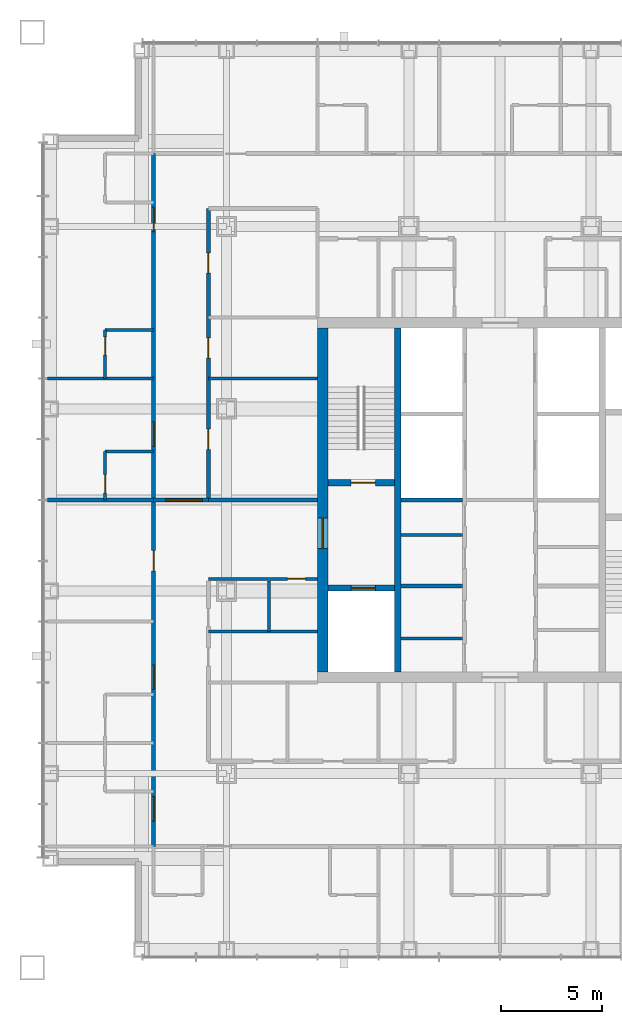
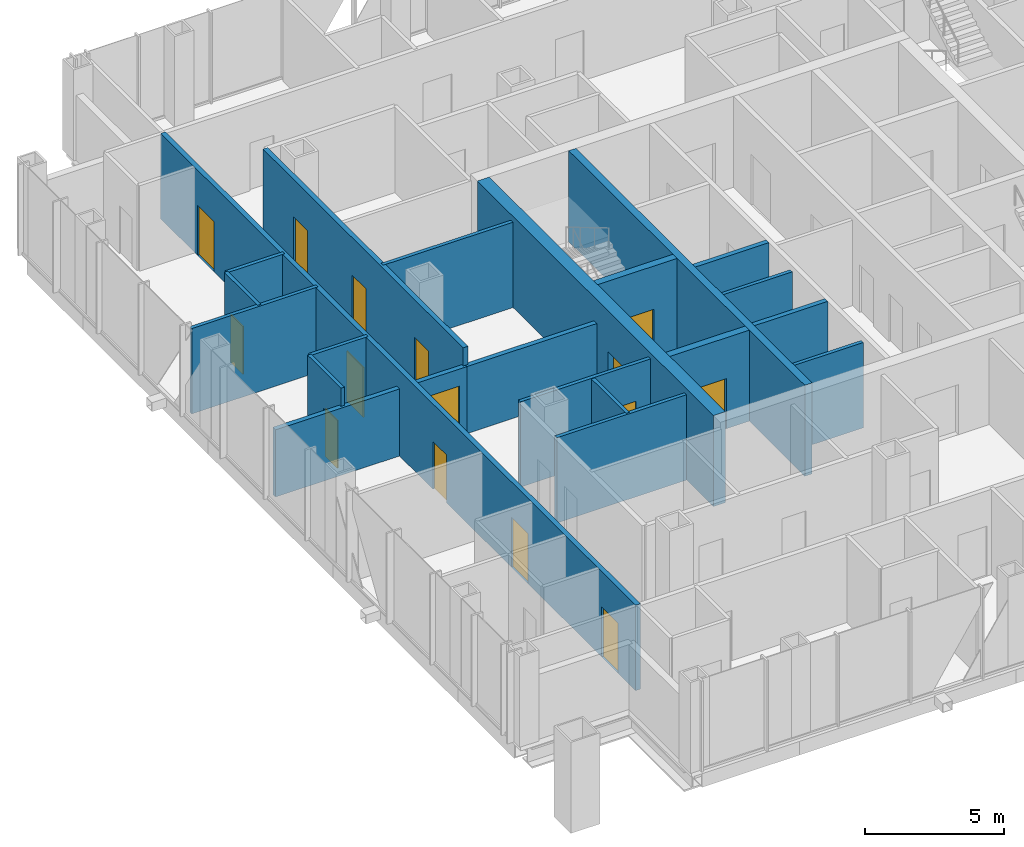
# One storey, part 13 of 20: 22 walls, 15 doors, 15 openings.
"""IFC4 building model written with IfcOpenShell, lengths in metres."""

from ifc_helpers import new_model, si_unit, direction, frame, frame_2d, origin, place, context, subcontext, project, spatial, rectangle, extrude, material, layer, layer_set, type_object, element, fill, save


model = new_model("IFC4")

# Units and contexts
model_context = context("Model", 3, precision=1e-05, world=origin(), true_north=direction((0.0, 1.0)))
body_context = subcontext(model_context, "Body", "Model", "MODEL_VIEW")
ifc_project = project(units=[si_unit("LENGTHUNIT", "METRE"), si_unit("AREAUNIT", "SQUARE_METRE"), si_unit("VOLUMEUNIT", "CUBIC_METRE"), si_unit("PLANEANGLEUNIT", "RADIAN"), si_unit("MASSUNIT", "GRAM", prefix="KILO")], contexts=[model_context])

# Site, building, storey
site_placement = place(None, origin())
site = spatial("IfcSite", under=ifc_project, at=site_placement, CompositionType="ELEMENT")
building_placement = place(site_placement, origin())
building = spatial("IfcBuilding", under=site, at=building_placement, Name="Malebo Sky Hospital", CompositionType="ELEMENT")
storey_placement = place(building_placement, frame((0.0, 0.0, 233.0)))
storey = spatial("IfcBuildingStorey", under=building, at=storey_placement, Name="L56", CompositionType="ELEMENT", Elevation=233.0)

# Walls
ifc_material_1 = material(Name="Concrete C80/95", Category="concrete")
ifc_layer_1 = layer(ifc_material_1, 0.199951171875)
ifc_layer_set_1 = layer_set([ifc_layer_1], Name="CORE INNER WALL 200")
wall_type_1 = type_object("IfcWallType", Name="CORE INNER WALL 200", PredefinedType="SHEAR", material=ifc_layer_set_1)
for number, where, z_axis, x_axis, name in (
    (1, (55.10009765625, 57.75, 0.0), (0.0, 0.0, 1.0), (1.0, 0.0, 0.0), "Core wall SW0 L56"),
    (2, (55.10009765625, 62.0, 0.0), (0.0, 0.0, 1.0), (1.0, 0.0, 0.0), "Core wall SW1 L56"),
):
    element("IfcWall", number, at=place(storey_placement, frame(where, z_axis=z_axis, x_axis=x_axis)), inside=storey, type_object=wall_type_1, Name=name, PredefinedType="SHEAR", context=body_context, shape_type="SweptSolid", body=[
        extrude(rectangle(XDim=3.0498046875, YDim=0.199951171875, at=frame_2d((1.52490234375, 0.0))), origin(), (0.0, 0.0, 1.0), 4.0),
    ])
ifc_layer_2 = layer(ifc_material_1, 0.300048828125)
ifc_layer_set_2 = layer_set([ifc_layer_2], Name="CORE INNER WALL 300")
wall_type_2 = type_object("IfcWallType", Name="CORE INNER WALL 300", PredefinedType="SHEAR", material=ifc_layer_set_2)
wall_1_placement = place(storey_placement, frame((54.949951171875, 53.5, 0.0), z_axis=(0.0, 0.0, 1.0), x_axis=(0.0, 1.0, 0.0)))
element("IfcWall", 3, at=wall_1_placement, inside=storey, type_object=wall_type_2, Name="Core wall XW L56", PredefinedType="SHEAR", context=body_context, shape_type="SweptSolid", body=[
    extrude(rectangle(XDim=17.0, YDim=0.300048828125, at=frame_2d((8.5, 0.0))), origin(), (0.0, 0.0, 1.0), 4.0),
])

# Wall, opening, door
wall_2_placement = place(storey_placement, frame((51.5, 62.85009765625, 0.0), z_axis=(0.0, 0.0, 1.0), x_axis=(1.0, 0.0, 0.0)))
wall_2 = element("IfcWall", 4, at=wall_2_placement, inside=storey, type_object=wall_type_2, Name="Core wall W1 L56", PredefinedType="SHEAR", context=body_context, shape_type="SweptSolid", body=[
    extrude(rectangle(XDim=3.300048828125, YDim=0.300048828125, at=frame_2d((1.64990234375, 0.0))), origin(), (0.0, 0.0, 1.0), 4.0),
])
opening_1_placement = place(wall_2_placement, frame((1.14990234375, 0.0, 0.0)))
opening_1 = element("IfcOpeningElement", 5, at=opening_1_placement, cuts=wall_2, Name="Opening D08", PredefinedType="OPENING", context=body_context, shape_type="SweptSolid", body=[
    extrude(rectangle(XDim=1.199951171875, YDim=2.10009765625, at=frame_2d((0.60009765625, 1.050048828125))), frame((0.0, 0.159912109375, 0.0), z_axis=(0.0, -1.0, 0.0), x_axis=(1.0, 0.0, 0.0)), (0.0, 0.0, 1.0), 0.320068359375),
])
ifc_material_2 = material(Name="Hardwood-faced door leaf in steel frame", Category="steel")
door_type_1 = type_object("IfcDoorType", Name="STAIR DOOR 1200", OperationType="SINGLE_SWING_LEFT", PredefinedType="DOOR", material=ifc_material_2)
door_1_placement = place(opening_1_placement, origin())
door_1 = element("IfcDoor", 6, at=door_1_placement, inside=storey, type_object=door_type_1, Name="Stair S1 door", OperationType="SINGLE_SWING_RIGHT", OverallHeight=2.10009765625, OverallWidth=1.199951171875, PredefinedType="DOOR", context=body_context, shape_type="SweptSolid", body=[
    extrude(rectangle(XDim=1.199951171875, YDim=2.10009765625, at=frame_2d((0.60009765625, 1.050048828125))), frame((0.0, 0.02490234375, 0.0), z_axis=(0.0, -1.0, 0.0), x_axis=(1.0, 0.0, 0.0)), (0.0, 0.0, 1.0), 0.050048828125),
])
fill(opening_1, door_1)

wall_3_placement = place(storey_placement, frame((51.5, 57.64990234375, 0.0), z_axis=(0.0, 0.0, 1.0), x_axis=(1.0, 0.0, 0.0)))
wall_3 = element("IfcWall", 7, at=wall_3_placement, inside=storey, type_object=wall_type_2, Name="Core wall W2 L56", PredefinedType="SHEAR", context=body_context, shape_type="SweptSolid", body=[
    extrude(rectangle(XDim=3.300048828125, YDim=0.300048828125, at=frame_2d((1.64990234375, 0.0))), origin(), (0.0, 0.0, 1.0), 4.0),
])
opening_2_placement = place(wall_3_placement, frame((1.14990234375, 0.0, 0.0)))
opening_2 = element("IfcOpeningElement", 8, at=opening_2_placement, cuts=wall_3, Name="Opening LD2", PredefinedType="OPENING", context=body_context, shape_type="SweptSolid", body=[
    extrude(rectangle(XDim=1.199951171875, YDim=2.199951171875, at=frame_2d((0.60009765625, 1.10009765625))), frame((0.0, 0.159912109375, 0.0), z_axis=(0.0, -1.0, 0.0), x_axis=(1.0, 0.0, 0.0)), (0.0, 0.0, 1.0), 0.320068359375),
])
ifc_material_3 = material(Name="Stainless steel sliding landing door", Category="steel")
door_type_2 = type_object("IfcDoorType", Name="FIRE-FIGHTING LIFT LANDING DOOR 1200", OperationType="SLIDING_TO_LEFT", PredefinedType="DOOR", material=ifc_material_3)
door_2_placement = place(opening_2_placement, origin())
door_2 = element("IfcDoor", 9, at=door_2_placement, inside=storey, type_object=door_type_2, Name="Lift FL1 landing door", OperationType="SLIDING_TO_LEFT", OverallHeight=2.199951171875, OverallWidth=1.199951171875, PredefinedType="DOOR", context=body_context, shape_type="SweptSolid", body=[
    extrude(rectangle(XDim=1.199951171875, YDim=2.199951171875, at=frame_2d((0.60009765625, 1.10009765625))), frame((0.0, 0.02490234375, 0.0), z_axis=(0.0, -1.0, 0.0), x_axis=(1.0, 0.0, 0.0)), (0.0, 0.0, 1.0), 0.050048828125),
])
fill(opening_2, door_2)

ifc_layer_3 = layer(ifc_material_1, 0.5)
ifc_layer_set_3 = layer_set([ifc_layer_3], Name="CORE WALL 500")
wall_type_3 = type_object("IfcWallType", Name="CORE WALL 500", PredefinedType="SHEAR", material=ifc_layer_set_3)
wall_4_placement = place(storey_placement, frame((51.25, 53.5, 0.0), z_axis=(0.0, 0.0, 1.0), x_axis=(0.0, 1.0, 0.0)))
wall_4 = element("IfcWall", 10, at=wall_4_placement, inside=storey, type_object=wall_type_3, Name="Core wall W L56", PredefinedType="SHEAR", context=body_context, shape_type="SweptSolid", body=[
    extrude(rectangle(XDim=17.0, YDim=0.5, at=frame_2d((8.5, 0.0))), origin(), (0.0, 0.0, 1.0), 4.0),
])
opening_3_placement = place(wall_4_placement, frame((6.10009765625, 0.0, 0.0)))
opening_3 = element("IfcOpeningElement", 11, at=opening_3_placement, cuts=wall_4, Name="Opening D07", PredefinedType="OPENING", context=body_context, shape_type="SweptSolid", body=[
    extrude(rectangle(XDim=1.5, YDim=2.199951171875, at=frame_2d((0.75, 1.10009765625))), frame((0.0, 0.260009765625, 0.0), z_axis=(0.0, -1.0, 0.0), x_axis=(1.0, 0.0, 0.0)), (0.0, 0.0, 1.0), 0.52001953125),
])
door_type_3 = type_object("IfcDoorType", Name="FIRE-FIGHTING LOBBY DOOR PAIR 1500", OperationType="DOUBLE_DOOR_SINGLE_SWING", PredefinedType="DOOR", material=ifc_material_2)
door_3_placement = place(opening_3_placement, origin())
door_3 = element("IfcDoor", 12, at=door_3_placement, inside=storey, type_object=door_type_3, Name="Fire-fighting lobby door west", OperationType="DOUBLE_DOOR_SINGLE_SWING", OverallHeight=2.199951171875, OverallWidth=1.5, PredefinedType="DOOR", context=body_context, shape_type="SweptSolid", body=[
    extrude(rectangle(XDim=1.5, YDim=2.199951171875, at=frame_2d((0.75, 1.10009765625))), frame((0.0, 0.02490234375, 0.0), z_axis=(0.0, -1.0, 0.0), x_axis=(1.0, 0.0, 0.0)), (0.0, 0.0, 1.0), 0.050048828125),
])
fill(opening_3, door_3)

# Wall, openings, doors
ifc_material_4 = material(Name="Gypsum board on steel studs", Category="steel")
ifc_layer_4 = layer(ifc_material_4, 0.199951171875)
ifc_layer_set_4 = layer_set([ifc_layer_4], Name="CORRIDOR WALL 200")
wall_type_4 = type_object("IfcWallType", Name="CORRIDOR WALL 200", PredefinedType="PARTITIONING", material=ifc_layer_set_4)
wall_5_placement = place(storey_placement, frame((42.89990234375, 44.89990234375, 0.0), z_axis=(0.0, 0.0, 1.0), x_axis=(0.0, 1.0, 0.0)))
wall_5 = element("IfcWall", 13, at=wall_5_placement, inside=storey, type_object=wall_type_4, Name="Corridor Wall 200 WCO", PredefinedType="PARTITIONING", context=body_context, shape_type="SweptSolid", body=[
    extrude(rectangle(XDim=34.2001953125, YDim=0.199951171875, at=frame_2d((17.10009765625, 0.0))), origin(), (0.0, 0.0, 1.0), 3.75),
])
opening_4_placement = place(wall_5_placement, frame((1.25, 0.0, 0.0)))
opening_4 = element("IfcOpeningElement", 14, at=opening_4_placement, cuts=wall_5, Name="Opening D01", PredefinedType="OPENING", context=body_context, shape_type="SweptSolid", body=[
    extrude(rectangle(XDim=1.199951171875, YDim=2.199951171875, at=frame_2d((0.60009765625, 1.10009765625))), frame((0.0, 0.10986328125, 0.0), z_axis=(0.0, -1.0, 0.0), x_axis=(1.0, 0.0, 0.0)), (0.0, 0.0, 1.0), 0.219970703125),
])
opening_5_placement = place(wall_5_placement, frame((7.75, 0.0, 0.0)))
opening_5 = element("IfcOpeningElement", 15, at=opening_5_placement, cuts=wall_5, Name="Opening D01", PredefinedType="OPENING", context=body_context, shape_type="SweptSolid", body=[
    extrude(rectangle(XDim=1.199951171875, YDim=2.199951171875, at=frame_2d((0.60009765625, 1.10009765625))), frame((0.0, 0.10986328125, 0.0), z_axis=(0.0, -1.0, 0.0), x_axis=(1.0, 0.0, 0.0)), (0.0, 0.0, 1.0), 0.219970703125),
])
opening_6_placement = place(wall_5_placement, frame((13.60009765625, 0.0, 0.0)))
opening_6 = element("IfcOpeningElement", 16, at=opening_6_placement, cuts=wall_5, Name="Opening D03", PredefinedType="OPENING", context=body_context, shape_type="SweptSolid", body=[
    extrude(rectangle(XDim=1.0, YDim=2.10009765625, at=frame_2d((0.5, 1.050048828125))), frame((0.0, 0.10986328125, 0.0), z_axis=(0.0, -1.0, 0.0), x_axis=(1.0, 0.0, 0.0)), (0.0, 0.0, 1.0), 0.219970703125),
])
opening_7_placement = place(wall_5_placement, frame((19.75, 0.0, 0.0)))
opening_7 = element("IfcOpeningElement", 17, at=opening_7_placement, cuts=wall_5, Name="Opening D01", PredefinedType="OPENING", context=body_context, shape_type="SweptSolid", body=[
    extrude(rectangle(XDim=1.199951171875, YDim=2.199951171875, at=frame_2d((0.60009765625, 1.10009765625))), frame((0.0, 0.10986328125, 0.0), z_axis=(0.0, -1.0, 0.0), x_axis=(1.0, 0.0, 0.0)), (0.0, 0.0, 1.0), 0.219970703125),
])
opening_8_placement = place(wall_5_placement, frame((30.35009765625, 0.0, 0.0)))
opening_8 = element("IfcOpeningElement", 18, at=opening_8_placement, cuts=wall_5, Name="Opening D01", PredefinedType="OPENING", context=body_context, shape_type="SweptSolid", body=[
    extrude(rectangle(XDim=1.199951171875, YDim=2.199951171875, at=frame_2d((0.60009765625, 1.10009765625))), frame((0.0, 0.10986328125, 0.0), z_axis=(0.0, -1.0, 0.0), x_axis=(1.0, 0.0, 0.0)), (0.0, 0.0, 1.0), 0.219970703125),
])
door_type_4 = type_object("IfcDoorType", Name="BED DOOR 1200", OperationType="SINGLE_SWING_LEFT", PredefinedType="DOOR", material=ifc_material_2)
door_4_placement = place(opening_4_placement, origin())
door_4 = element("IfcDoor", 19, at=door_4_placement, inside=storey, type_object=door_type_4, Name="Single bed room door", OperationType="SINGLE_SWING_RIGHT", OverallHeight=2.199951171875, OverallWidth=1.199951171875, PredefinedType="DOOR", context=body_context, shape_type="SweptSolid", body=[
    extrude(rectangle(XDim=1.199951171875, YDim=2.199951171875, at=frame_2d((0.60009765625, 1.10009765625))), frame((0.0, 0.02490234375, 0.0), z_axis=(0.0, -1.0, 0.0), x_axis=(1.0, 0.0, 0.0)), (0.0, 0.0, 1.0), 0.050048828125),
])
fill(opening_4, door_4)
door_5_placement = place(opening_5_placement, origin())
door_5 = element("IfcDoor", 20, at=door_5_placement, inside=storey, type_object=door_type_4, Name="Single bed room door", OperationType="SINGLE_SWING_LEFT", OverallHeight=2.199951171875, OverallWidth=1.199951171875, PredefinedType="DOOR", context=body_context, shape_type="SweptSolid", body=[
    extrude(rectangle(XDim=1.199951171875, YDim=2.199951171875, at=frame_2d((0.60009765625, 1.10009765625))), frame((0.0, 0.02490234375, 0.0), z_axis=(0.0, -1.0, 0.0), x_axis=(1.0, 0.0, 0.0)), (0.0, 0.0, 1.0), 0.050048828125),
])
fill(opening_5, door_5)
door_6_placement = place(opening_7_placement, origin())
door_6 = element("IfcDoor", 21, at=door_6_placement, inside=storey, type_object=door_type_4, Name="Parent room door", OperationType="SINGLE_SWING_LEFT", OverallHeight=2.199951171875, OverallWidth=1.199951171875, PredefinedType="DOOR", context=body_context, shape_type="SweptSolid", body=[
    extrude(rectangle(XDim=1.199951171875, YDim=2.199951171875, at=frame_2d((0.60009765625, 1.10009765625))), frame((0.0, 0.02490234375, 0.0), z_axis=(0.0, -1.0, 0.0), x_axis=(1.0, 0.0, 0.0)), (0.0, 0.0, 1.0), 0.050048828125),
])
fill(opening_7, door_6)
door_7_placement = place(opening_8_placement, origin())
door_7 = element("IfcDoor", 22, at=door_7_placement, inside=storey, type_object=door_type_4, Name="Four-bed bay door", OperationType="SINGLE_SWING_RIGHT", OverallHeight=2.199951171875, OverallWidth=1.199951171875, PredefinedType="DOOR", context=body_context, shape_type="SweptSolid", body=[
    extrude(rectangle(XDim=1.199951171875, YDim=2.199951171875, at=frame_2d((0.60009765625, 1.10009765625))), frame((0.0, 0.02490234375, 0.0), z_axis=(0.0, -1.0, 0.0), x_axis=(1.0, 0.0, 0.0)), (0.0, 0.0, 1.0), 0.050048828125),
])
fill(opening_8, door_7)
door_type_5 = type_object("IfcDoorType", Name="ROOM DOOR 1000", OperationType="SINGLE_SWING_LEFT", PredefinedType="DOOR", material=ifc_material_2)
door_8_placement = place(opening_6_placement, origin())
door_8 = element("IfcDoor", 23, at=door_8_placement, inside=storey, type_object=door_type_5, Name="Quiet room door", OperationType="SINGLE_SWING_RIGHT", OverallHeight=2.10009765625, OverallWidth=1.0, PredefinedType="DOOR", context=body_context, shape_type="SweptSolid", body=[
    extrude(rectangle(XDim=1.0, YDim=2.10009765625, at=frame_2d((0.5, 1.050048828125))), frame((0.0, 0.02490234375, 0.0), z_axis=(0.0, -1.0, 0.0), x_axis=(1.0, 0.0, 0.0)), (0.0, 0.0, 1.0), 0.050048828125),
])
fill(opening_6, door_8)

wall_6_placement = place(storey_placement, frame((45.60009765625, 62.0, 0.0), z_axis=(0.0, 0.0, 1.0), x_axis=(0.0, 1.0, 0.0)))
wall_6 = element("IfcWall", 24, at=wall_6_placement, inside=storey, type_object=wall_type_4, Name="Corridor Wall 200 WCI2", PredefinedType="PARTITIONING", context=body_context, shape_type="SweptSolid", body=[
    extrude(rectangle(XDim=14.39990234375, YDim=0.199951171875, at=frame_2d((7.199951171875, 0.0))), origin(), (0.0, 0.0, 1.0), 3.75),
])
opening_9_placement = place(wall_6_placement, frame((2.5, 0.0, 0.0)))
opening_9 = element("IfcOpeningElement", 25, at=opening_9_placement, cuts=wall_6, Name="Opening D03", PredefinedType="OPENING", context=body_context, shape_type="SweptSolid", body=[
    extrude(rectangle(XDim=1.0, YDim=2.10009765625, at=frame_2d((0.5, 1.050048828125))), frame((0.0, 0.10986328125, 0.0), z_axis=(0.0, -1.0, 0.0), x_axis=(1.0, 0.0, 0.0)), (0.0, 0.0, 1.0), 0.219970703125),
])
opening_10_placement = place(wall_6_placement, frame((7.0, 0.0, 0.0)))
opening_10 = element("IfcOpeningElement", 26, at=opening_10_placement, cuts=wall_6, Name="Opening D03", PredefinedType="OPENING", context=body_context, shape_type="SweptSolid", body=[
    extrude(rectangle(XDim=1.0, YDim=2.10009765625, at=frame_2d((0.5, 1.050048828125))), frame((0.0, 0.10986328125, 0.0), z_axis=(0.0, -1.0, 0.0), x_axis=(1.0, 0.0, 0.0)), (0.0, 0.0, 1.0), 0.219970703125),
])
opening_11_placement = place(wall_6_placement, frame((11.199951171875, 0.0, 0.0)))
opening_11 = element("IfcOpeningElement", 27, at=opening_11_placement, cuts=wall_6, Name="Opening D03", PredefinedType="OPENING", context=body_context, shape_type="SweptSolid", body=[
    extrude(rectangle(XDim=1.0, YDim=2.10009765625, at=frame_2d((0.5, 1.050048828125))), frame((0.0, 0.10986328125, 0.0), z_axis=(0.0, -1.0, 0.0), x_axis=(1.0, 0.0, 0.0)), (0.0, 0.0, 1.0), 0.219970703125),
])
door_9_placement = place(opening_9_placement, origin())
door_9 = element("IfcDoor", 28, at=door_9_placement, inside=storey, type_object=door_type_5, Name="Nurse station door", OperationType="SINGLE_SWING_LEFT", OverallHeight=2.10009765625, OverallWidth=1.0, PredefinedType="DOOR", context=body_context, shape_type="SweptSolid", body=[
    extrude(rectangle(XDim=1.0, YDim=2.10009765625, at=frame_2d((0.5, 1.050048828125))), frame((0.0, 0.02490234375, 0.0), z_axis=(0.0, -1.0, 0.0), x_axis=(1.0, 0.0, 0.0)), (0.0, 0.0, 1.0), 0.050048828125),
])
fill(opening_9, door_9)
door_10_placement = place(opening_10_placement, origin())
door_10 = element("IfcDoor", 29, at=door_10_placement, inside=storey, type_object=door_type_5, Name="Play room door", OperationType="SINGLE_SWING_LEFT", OverallHeight=2.10009765625, OverallWidth=1.0, PredefinedType="DOOR", context=body_context, shape_type="SweptSolid", body=[
    extrude(rectangle(XDim=1.0, YDim=2.10009765625, at=frame_2d((0.5, 1.050048828125))), frame((0.0, 0.02490234375, 0.0), z_axis=(0.0, -1.0, 0.0), x_axis=(1.0, 0.0, 0.0)), (0.0, 0.0, 1.0), 0.050048828125),
])
fill(opening_10, door_10)
door_11_placement = place(opening_11_placement, origin())
door_11 = element("IfcDoor", 30, at=door_11_placement, inside=storey, type_object=door_type_5, Name="Treatment room door", OperationType="SINGLE_SWING_RIGHT", OverallHeight=2.10009765625, OverallWidth=1.0, PredefinedType="DOOR", context=body_context, shape_type="SweptSolid", body=[
    extrude(rectangle(XDim=1.0, YDim=2.10009765625, at=frame_2d((0.5, 1.050048828125))), frame((0.0, 0.02490234375, 0.0), z_axis=(0.0, -1.0, 0.0), x_axis=(1.0, 0.0, 0.0)), (0.0, 0.0, 1.0), 0.050048828125),
])
fill(opening_11, door_11)

# Wall
ifc_layer_5 = layer(ifc_material_4, 0.14990234375)
ifc_layer_set_5 = layer_set([ifc_layer_5], Name="PARTITION 150")
wall_type_5 = type_object("IfcWallType", Name="PARTITION 150", PredefinedType="PARTITIONING", material=ifc_layer_set_5)
wall_7_placement = place(storey_placement, frame((42.89990234375, 68.0, 0.0), z_axis=(0.0, 0.0, 1.0), x_axis=(-1.0, 0.0, 0.0)))
element("IfcWall", 31, at=wall_7_placement, inside=storey, type_object=wall_type_5, Name="Partition 150 WP+6.0", PredefinedType="PARTITIONING", context=body_context, shape_type="SweptSolid", body=[
    extrude(rectangle(XDim=5.25, YDim=0.14990234375, at=frame_2d((2.625, 0.0))), origin(), (0.0, 0.0, 1.0), 3.75),
])

# Wall, opening, door
wall_8_placement = place(storey_placement, frame((40.5, 62.0, 0.0), z_axis=(0.0, 0.0, 1.0), x_axis=(0.0, 1.0, 0.0)))
wall_8 = element("IfcWall", 32, at=wall_8_placement, inside=storey, type_object=wall_type_5, Name="Partition 150 WE3F", PredefinedType="PARTITIONING", context=body_context, shape_type="SweptSolid", body=[
    extrude(rectangle(XDim=2.39990234375, YDim=0.14990234375, at=frame_2d((1.199951171875, 0.0))), origin(), (0.0, 0.0, 1.0), 3.75),
])
opening_12_placement = place(wall_8_placement, frame((0.35009765625, 0.0, 0.0)))
opening_12 = element("IfcOpeningElement", 33, at=opening_12_placement, cuts=wall_8, Name="Opening D02", PredefinedType="OPENING", context=body_context, shape_type="SweptSolid", body=[
    extrude(rectangle(XDim=0.89990234375, YDim=2.10009765625, at=frame_2d((0.449951171875, 1.050048828125))), frame((0.0, 0.0849609375, 0.0), z_axis=(0.0, -1.0, 0.0), x_axis=(1.0, 0.0, 0.0)), (0.0, 0.0, 1.0), 0.169921875),
])
door_type_6 = type_object("IfcDoorType", Name="EN-SUITE DOOR 900", OperationType="SINGLE_SWING_LEFT", PredefinedType="DOOR", material=ifc_material_2)
door_12_placement = place(opening_12_placement, origin())
door_12 = element("IfcDoor", 34, at=door_12_placement, inside=storey, type_object=door_type_6, Name="En-suite door", OperationType="SINGLE_SWING_LEFT", OverallHeight=2.10009765625, OverallWidth=0.89990234375, PredefinedType="DOOR", context=body_context, shape_type="SweptSolid", body=[
    extrude(rectangle(XDim=0.89990234375, YDim=2.10009765625, at=frame_2d((0.449951171875, 1.050048828125))), frame((0.0, 0.02490234375, 0.0), z_axis=(0.0, -1.0, 0.0), x_axis=(1.0, 0.0, 0.0)), (0.0, 0.0, 1.0), 0.050048828125),
])
fill(opening_12, door_12)

# Wall
wall_9_placement = place(storey_placement, frame((42.89990234375, 64.39990234375, 0.0), z_axis=(0.0, 0.0, 1.0), x_axis=(-1.0, 0.0, 0.0)))
element("IfcWall", 35, at=wall_9_placement, inside=storey, type_object=wall_type_5, Name="Partition 150 WE3S", PredefinedType="PARTITIONING", context=body_context, shape_type="SweptSolid", body=[
    extrude(rectangle(XDim=2.39990234375, YDim=0.14990234375, at=frame_2d((1.199951171875, 0.0))), origin(), (0.0, 0.0, 1.0), 3.75),
])

# Wall, opening, door
wall_10_placement = place(storey_placement, frame((40.5, 68.0, 0.0), z_axis=(0.0, 0.0, 1.0), x_axis=(0.0, 1.0, 0.0)))
wall_10 = element("IfcWall", 36, at=wall_10_placement, inside=storey, type_object=wall_type_5, Name="Partition 150 WG4F", PredefinedType="PARTITIONING", context=body_context, shape_type="SweptSolid", body=[
    extrude(rectangle(XDim=2.39990234375, YDim=0.14990234375, at=frame_2d((1.199951171875, 0.0))), origin(), (0.0, 0.0, 1.0), 3.75),
])
opening_13_placement = place(wall_10_placement, frame((1.14990234375, 0.0, 0.0)))
opening_13 = element("IfcOpeningElement", 37, at=opening_13_placement, cuts=wall_10, Name="Opening D02", PredefinedType="OPENING", context=body_context, shape_type="SweptSolid", body=[
    extrude(rectangle(XDim=0.89990234375, YDim=2.10009765625, at=frame_2d((0.449951171875, 1.050048828125))), frame((0.0, 0.0849609375, 0.0), z_axis=(0.0, -1.0, 0.0), x_axis=(1.0, 0.0, 0.0)), (0.0, 0.0, 1.0), 0.169921875),
])
door_13_placement = place(opening_13_placement, origin())
door_13 = element("IfcDoor", 38, at=door_13_placement, inside=storey, type_object=door_type_6, Name="En-suite door", OperationType="SINGLE_SWING_RIGHT", OverallHeight=2.10009765625, OverallWidth=0.89990234375, PredefinedType="DOOR", context=body_context, shape_type="SweptSolid", body=[
    extrude(rectangle(XDim=0.89990234375, YDim=2.10009765625, at=frame_2d((0.449951171875, 1.050048828125))), frame((0.0, 0.02490234375, 0.0), z_axis=(0.0, -1.0, 0.0), x_axis=(1.0, 0.0, 0.0)), (0.0, 0.0, 1.0), 0.050048828125),
])
fill(opening_13, door_13)

# Wall
wall_11_placement = place(storey_placement, frame((42.89990234375, 70.39990234375, 0.0), z_axis=(0.0, 0.0, 1.0), x_axis=(-1.0, 0.0, 0.0)))
element("IfcWall", 39, at=wall_11_placement, inside=storey, type_object=wall_type_5, Name="Partition 150 WG4S", PredefinedType="PARTITIONING", context=body_context, shape_type="SweptSolid", body=[
    extrude(rectangle(XDim=2.39990234375, YDim=0.14990234375, at=frame_2d((1.199951171875, 0.0))), origin(), (0.0, 0.0, 1.0), 3.75),
])

# Wall, opening, door
wall_12_placement = place(storey_placement, frame((51.0, 58.10009765625, 0.0), z_axis=(0.0, 0.0, 1.0), x_axis=(-1.0, 0.0, 0.0)))
wall_12 = element("IfcWall", 40, at=wall_12_placement, inside=storey, type_object=wall_type_5, Name="Partition 150 WSPA", PredefinedType="PARTITIONING", context=body_context, shape_type="SweptSolid", body=[
    extrude(rectangle(XDim=5.39990234375, YDim=0.14990234375, at=frame_2d((2.699951171875, 0.0))), origin(), (0.0, 0.0, 1.0), 3.75),
])
opening_14_placement = place(wall_12_placement, frame((0.60009765625, 0.0, 0.0)))
opening_14 = element("IfcOpeningElement", 41, at=opening_14_placement, cuts=wall_12, Name="Opening D04", PredefinedType="OPENING", context=body_context, shape_type="SweptSolid", body=[
    extrude(rectangle(XDim=0.89990234375, YDim=2.10009765625, at=frame_2d((0.449951171875, 1.050048828125))), frame((0.0, 0.0849609375, 0.0), z_axis=(0.0, -1.0, 0.0), x_axis=(1.0, 0.0, 0.0)), (0.0, 0.0, 1.0), 0.169921875),
])
door_type_7 = type_object("IfcDoorType", Name="ROOM DOOR 900", OperationType="SINGLE_SWING_LEFT", PredefinedType="DOOR", material=ifc_material_2)
door_14_placement = place(opening_14_placement, origin())
door_14 = element("IfcDoor", 42, at=door_14_placement, inside=storey, type_object=door_type_7, Name="Cleaner's room door", OperationType="SINGLE_SWING_LEFT", OverallHeight=2.10009765625, OverallWidth=0.89990234375, PredefinedType="DOOR", context=body_context, shape_type="SweptSolid", body=[
    extrude(rectangle(XDim=0.89990234375, YDim=2.10009765625, at=frame_2d((0.449951171875, 1.050048828125))), frame((0.0, 0.02490234375, 0.0), z_axis=(0.0, -1.0, 0.0), x_axis=(1.0, 0.0, 0.0)), (0.0, 0.0, 1.0), 0.050048828125),
])
fill(opening_14, door_14)

# Walls
for number, where, z_axis, x_axis, name in (
    (43, (51.0, 55.5, 0.0), (0.0, 0.0, 1.0), (-1.0, 0.0, 0.0), "Partition 150 WSP-6.5"),
    (44, (51.0, 68.0, 0.0), (0.0, 0.0, 1.0), (-1.0, 0.0, 0.0), "Partition 150 WSP+6.0"),
):
    element("IfcWall", number, at=place(storey_placement, frame(where, z_axis=z_axis, x_axis=x_axis)), inside=storey, type_object=wall_type_5, Name=name, PredefinedType="PARTITIONING", context=body_context, shape_type="SweptSolid", body=[
        extrude(rectangle(XDim=5.39990234375, YDim=0.14990234375, at=frame_2d((2.699951171875, 0.0))), origin(), (0.0, 0.0, 1.0), 3.75),
    ])
wall_13_placement = place(storey_placement, frame((48.60009765625, 55.5, 0.0), z_axis=(0.0, 0.0, 1.0), x_axis=(0.0, 1.0, 0.0)))
element("IfcWall", 45, at=wall_13_placement, inside=storey, type_object=wall_type_5, Name="Partition 150 WSX1", PredefinedType="PARTITIONING", context=body_context, shape_type="SweptSolid", body=[
    extrude(rectangle(XDim=2.5, YDim=0.14990234375, at=frame_2d((1.25, 0.0))), origin(), (0.0, 0.0, 1.0), 3.75),
])
for number, where, z_axis, x_axis, name in (
    (46, (55.10009765625, 55.159912109375, 0.0), (0.0, 0.0, 1.0), (1.0, 0.0, 0.0), "Partition 150 SHW1"),
    (47, (55.10009765625, 60.280029296875, 0.0), (0.0, 0.0, 1.0), (1.0, 0.0, 0.0), "Partition 150 SHW2"),
):
    element("IfcWall", number, at=place(storey_placement, frame(where, z_axis=z_axis, x_axis=x_axis)), inside=storey, type_object=wall_type_5, Name=name, PredefinedType="PARTITIONING", context=body_context, shape_type="SweptSolid", body=[
        extrude(rectangle(XDim=3.0498046875, YDim=0.14990234375, at=frame_2d((1.52490234375, 0.0))), origin(), (0.0, 0.0, 1.0), 3.75),
    ])
ifc_material_5 = material(Name="Concrete blockwork", Category="masonry")
ifc_layer_6 = layer(ifc_material_5, 0.199951171875)
ifc_layer_set_6 = layer_set([ifc_layer_6], Name="SMOKE BARRIER WALL 200")
wall_type_6 = type_object("IfcWallType", Name="SMOKE BARRIER WALL 200", PredefinedType="SOLIDWALL", material=ifc_layer_set_6)
wall_14_placement = place(storey_placement, frame((42.89990234375, 62.0, 0.0), z_axis=(0.0, 0.0, 1.0), x_axis=(-1.0, 0.0, 0.0)))
element("IfcWall", 48, at=wall_14_placement, inside=storey, type_object=wall_type_6, Name="Smoke Barrier Wall 200 WP+0.0", PredefinedType="SOLIDWALL", context=body_context, shape_type="SweptSolid", body=[
    extrude(rectangle(XDim=5.25, YDim=0.199951171875, at=frame_2d((2.625, 0.0))), origin(), (0.0, 0.0, 1.0), 2.949951171875),
])
wall_15_placement = place(storey_placement, frame((51.0, 62.0, 0.0), z_axis=(0.0, 0.0, 1.0), x_axis=(-1.0, 0.0, 0.0)))
element("IfcWall", 49, at=wall_15_placement, inside=storey, type_object=wall_type_6, Name="Smoke Barrier Wall 200 WSPB", PredefinedType="SOLIDWALL", context=body_context, shape_type="SweptSolid", body=[
    extrude(rectangle(XDim=5.39990234375, YDim=0.199951171875, at=frame_2d((2.699951171875, 0.0))), origin(), (0.0, 0.0, 1.0), 2.949951171875),
])

# Wall, opening, door
wall_16_placement = place(storey_placement, frame((45.60009765625, 62.0, 0.0), z_axis=(0.0, 0.0, 1.0), x_axis=(-1.0, 0.0, 0.0)))
wall_16 = element("IfcWall", 50, at=wall_16_placement, inside=storey, type_object=wall_type_6, Name="Smoke Barrier Wall 200 WSB", PredefinedType="SOLIDWALL", context=body_context, shape_type="SweptSolid", body=[
    extrude(rectangle(XDim=2.7001953125, YDim=0.199951171875, at=frame_2d((1.35009765625, 0.0))), origin(), (0.0, 0.0, 1.0), 2.949951171875),
])
opening_15_placement = place(wall_16_placement, frame((0.300048828125, 0.0, 0.0)))
opening_15 = element("IfcOpeningElement", 51, at=opening_15_placement, cuts=wall_16, Name="Opening D05", PredefinedType="OPENING", context=body_context, shape_type="SweptSolid", body=[
    extrude(rectangle(XDim=1.800048828125, YDim=2.199951171875, at=frame_2d((0.89990234375, 1.10009765625))), frame((0.0, 0.10986328125, 0.0), z_axis=(0.0, -1.0, 0.0), x_axis=(1.0, 0.0, 0.0)), (0.0, 0.0, 1.0), 0.219970703125),
])
door_type_8 = type_object("IfcDoorType", Name="SMOKE DOOR PAIR 1800", OperationType="DOUBLE_DOOR_DOUBLE_SWING", PredefinedType="DOOR", material=ifc_material_2)
door_15_placement = place(opening_15_placement, origin())
door_15 = element("IfcDoor", 52, at=door_15_placement, inside=storey, type_object=door_type_8, Name="Smoke compartment door pair", OperationType="DOUBLE_DOOR_DOUBLE_SWING", OverallHeight=2.199951171875, OverallWidth=1.800048828125, PredefinedType="DOOR", context=body_context, shape_type="SweptSolid", body=[
    extrude(rectangle(XDim=1.800048828125, YDim=2.199951171875, at=frame_2d((0.89990234375, 1.10009765625))), frame((0.0, 0.02490234375, 0.0), z_axis=(0.0, -1.0, 0.0), x_axis=(1.0, 0.0, 0.0)), (0.0, 0.0, 1.0), 0.050048828125),
])
fill(opening_15, door_15)

save(model, "model.ifc")
